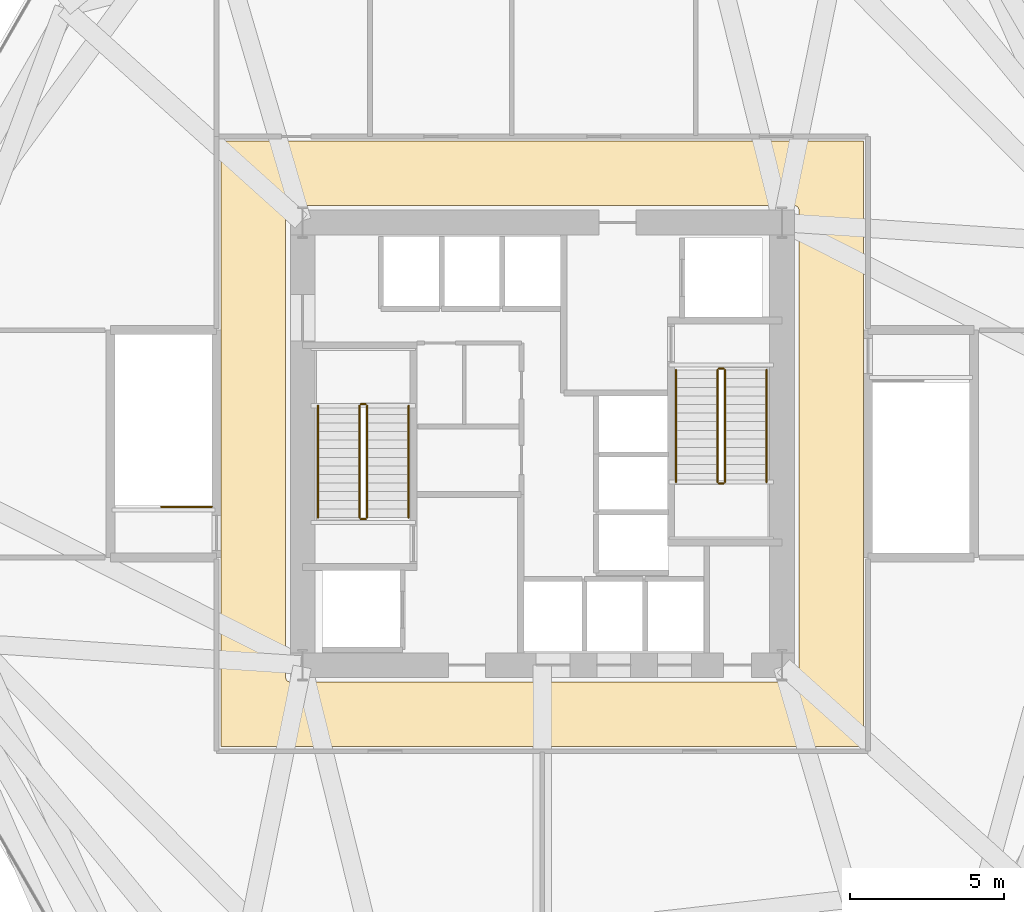
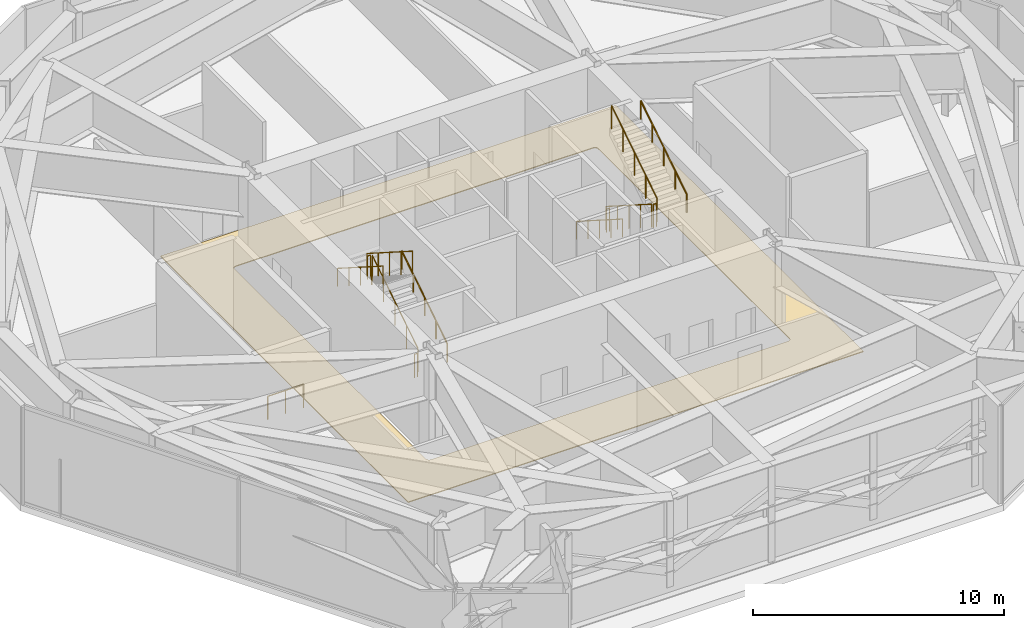
# One storey, part 15 of 16: 13 railings, 1 covering.
"""IFC4 building model written with IfcOpenShell, lengths in metres."""

from ifc_helpers import new_model, si_unit, direction, frame, origin, origin_2d, place, context, subcontext, project, spatial, polyline, circle, outline, extrude, material, layer, layer_set, type_object, element, save


model = new_model("IFC4")

# Units and contexts
model_context = context("Model", 3, precision=1e-05, world=origin(), true_north=direction((0.0, 1.0)))
body_context = subcontext(model_context, "Body", "Model", "MODEL_VIEW")
ifc_project = project(units=[si_unit("LENGTHUNIT", "METRE"), si_unit("AREAUNIT", "SQUARE_METRE"), si_unit("VOLUMEUNIT", "CUBIC_METRE"), si_unit("PLANEANGLEUNIT", "RADIAN"), si_unit("MASSUNIT", "GRAM", prefix="KILO")], contexts=[model_context])

# Site, building, storey
site_placement = place(None, origin())
site = spatial("IfcSite", under=ifc_project, at=site_placement, CompositionType="ELEMENT")
building_placement = place(site_placement, origin())
building = spatial("IfcBuilding", under=site, at=building_placement, Name="Kranzbogen Civic Tower", CompositionType="ELEMENT")
storey_placement = place(building_placement, frame((0.0, 0.0, 19.0)))
storey = spatial("IfcBuildingStorey", under=building, at=storey_placement, Name="L04", CompositionType="ELEMENT", Elevation=19.0)

# Covering
ifc_material_1 = material(Name="Honed Natural Stone Flooring", Category="masonry")
ifc_layer = layer(ifc_material_1, 0.0400390625, Name="Honed Natural Stone Flooring")
ifc_layer_set = layer_set([ifc_layer], Name="Honed Natural Stone Flooring")
covering_type = type_object("IfcCoveringType", Name="Honed Limestone Lobby Flooring 40 mm", PredefinedType="FLOORING", material=ifc_layer_set)
covering_placement = place(storey_placement, origin())
element("IfcCovering", 1, at=covering_placement, inside=storey, type_object=covering_type, Name="L04 honed limestone concourse flooring 1", PredefinedType="FLOORING", context=body_context, shape_type="SweptSolid", body=[
    extrude(outline(polyline([(14.550048828125, 15.14990234375), (14.550048828125, 34.85009765625), (35.449951171875, 34.85009765625), (35.449951171875, 15.14990234375), (14.550048828125, 15.14990234375)]), holes=[polyline([(33.35009765625, 17.39990234375), (33.34912109375, 17.385009765625), (33.346923828125, 17.37109375), (33.343994140625, 17.35595703125), (33.339111328125, 17.343017578125), (33.33203125, 17.3291015625), (33.324951171875, 17.31689453125), (33.31591796875, 17.304931640625), (33.305908203125, 17.2939453125), (33.294921875, 17.283935546875), (33.282958984375, 17.27490234375), (33.27099609375, 17.26806640625), (33.257080078125, 17.260986328125), (33.243896484375, 17.256103515625), (33.22900390625, 17.2529296875), (33.215087890625, 17.2509765625), (33.199951171875, 17.25), (16.800048828125, 17.25), (16.784912109375, 17.2509765625), (16.77099609375, 17.2529296875), (16.756103515625, 17.256103515625), (16.742919921875, 17.260986328125), (16.72900390625, 17.26806640625), (16.717041015625, 17.27490234375), (16.705078125, 17.283935546875), (16.694091796875, 17.2939453125), (16.68408203125, 17.304931640625), (16.675048828125, 17.31689453125), (16.66796875, 17.3291015625), (16.660888671875, 17.343017578125), (16.656005859375, 17.35595703125), (16.653076171875, 17.37109375), (16.65087890625, 17.385009765625), (16.64990234375, 17.39990234375), (16.64990234375, 32.60009765625), (16.65087890625, 32.614990234375), (16.653076171875, 32.62890625), (16.656005859375, 32.64404296875), (16.660888671875, 32.656982421875), (16.66796875, 32.6708984375), (16.675048828125, 32.68310546875), (16.68408203125, 32.695068359375), (16.694091796875, 32.7060546875), (16.705078125, 32.716064453125), (16.717041015625, 32.72509765625), (16.72900390625, 32.73193359375), (16.742919921875, 32.739013671875), (16.756103515625, 32.743896484375), (16.77099609375, 32.7470703125), (16.784912109375, 32.7490234375), (16.800048828125, 32.75), (33.199951171875, 32.75), (33.215087890625, 32.7490234375), (33.22900390625, 32.7470703125), (33.243896484375, 32.743896484375), (33.257080078125, 32.739013671875), (33.27099609375, 32.73193359375), (33.282958984375, 32.72509765625), (33.294921875, 32.716064453125), (33.305908203125, 32.7060546875), (33.31591796875, 32.695068359375), (33.324951171875, 32.68310546875), (33.33203125, 32.6708984375), (33.339111328125, 32.656982421875), (33.343994140625, 32.64404296875), (33.346923828125, 32.62890625), (33.34912109375, 32.614990234375), (33.35009765625, 32.60009765625), (33.35009765625, 17.39990234375)])]), origin(), (0.0, 0.0, 1.0), 0.0400390625),
])

# Railings
ifc_material_2 = material(Name="Steel S355", Category="steel")
railing_type_1 = type_object("IfcRailingType", Name="Internal Stair and Void Steel Guardrail 1150", PredefinedType="GUARDRAIL", material=ifc_material_2)
railing_1_placement = place(storey_placement, frame((19.300048828125, 22.60009765625, 0.178466796875)))
element("IfcRailing", 2, at=railing_1_placement, inside=storey, type_object=railing_type_1, Name="L04 ST-T1 stair guard 1", PredefinedType="GUARDRAIL", context=body_context, shape_type="SweptSolid", body=[
    extrude(circle(Radius=0.02392578125, at=origin_2d()), frame((0.0, 0.0, 1.1259765625), z_axis=(0.0, 0.843111507901, 0.53773877045), x_axis=(-1.0, 0.0, 0.0)), (0.0, 0.0, 1.0), 4.317138671875),
    extrude(circle(Radius=0.02099609375, at=origin_2d()), origin(), (0.0, 0.0, 1.0), 1.101806640625),
    extrude(circle(Radius=0.02099609375, at=origin_2d()), frame((0.0, 0.909912109375, 0.580322265625)), (0.0, 0.0, 1.0), 1.101806640625),
    extrude(circle(Radius=0.02099609375, at=origin_2d()), frame((0.0, 1.81982421875, 1.16064453125)), (0.0, 0.0, 1.0), 1.101806640625),
    extrude(circle(Radius=0.02099609375, at=origin_2d()), frame((0.0, 2.72998046875, 1.7412109375)), (0.0, 0.0, 1.0), 1.101806640625),
    extrude(circle(Radius=0.02099609375, at=origin_2d()), frame((0.0, 3.639892578125, 2.321533203125)), (0.0, 0.0, 1.0), 1.101806640625),
])
railing_2_placement = place(storey_placement, frame((19.25, 26.2900390625, 2.5)))
element("IfcRailing", 3, at=railing_2_placement, inside=storey, type_object=railing_type_1, Name="L04 ST-T1 stair guard 2", PredefinedType="GUARDRAIL", context=body_context, shape_type="SweptSolid", body=[
    extrude(circle(Radius=0.02392578125, at=origin_2d()), frame((0.0, 0.0, 1.1259765625), z_axis=(-1.0, 0.0, 0.0), x_axis=(0.0, -1.0, 0.0)), (0.0, 0.0, 1.0), 0.14990234375),
    extrude(circle(Radius=0.02099609375, at=origin_2d()), origin(), (0.0, 0.0, 1.0), 1.101806640625),
    extrude(circle(Radius=0.02099609375, at=origin_2d()), frame((-0.14990234375, 0.0, 0.0)), (0.0, 0.0, 1.0), 1.101806640625),
])
railing_3_placement = place(storey_placement, frame((19.050048828125, 26.239990234375, 2.678466796875)))
element("IfcRailing", 4, at=railing_3_placement, inside=storey, type_object=railing_type_1, Name="L04 ST-T1 stair guard 3", PredefinedType="GUARDRAIL", context=body_context, shape_type="SweptSolid", body=[
    extrude(circle(Radius=0.02392578125, at=origin_2d()), frame((0.0, 0.0, 1.1259765625), z_axis=(0.0, -0.843111507901, 0.53773877045), x_axis=(1.0, 0.0, 0.0)), (0.0, 0.0, 1.0), 4.317138671875),
    extrude(circle(Radius=0.02099609375, at=origin_2d()), origin(), (0.0, 0.0, 1.0), 1.101806640625),
    extrude(circle(Radius=0.02099609375, at=origin_2d()), frame((0.0, -0.909912109375, 0.580322265625)), (0.0, 0.0, 1.0), 1.101806640625),
    extrude(circle(Radius=0.02099609375, at=origin_2d()), frame((0.0, -1.81982421875, 1.16064453125)), (0.0, 0.0, 1.0), 1.101806640625),
    extrude(circle(Radius=0.02099609375, at=origin_2d()), frame((0.0, -2.72998046875, 1.7412109375)), (0.0, 0.0, 1.0), 1.101806640625),
    extrude(circle(Radius=0.02099609375, at=origin_2d()), frame((0.0, -3.639892578125, 2.321533203125)), (0.0, 0.0, 1.0), 1.101806640625),
])
railing_4_placement = place(storey_placement, frame((19.25, 22.550048828125, 0.0)))
element("IfcRailing", 5, at=railing_4_placement, inside=storey, type_object=railing_type_1, Name="L04 ST-T1 stair guard 4", PredefinedType="GUARDRAIL", context=body_context, shape_type="SweptSolid", body=[
    extrude(circle(Radius=0.02392578125, at=origin_2d()), frame((0.0, 0.0, 1.1259765625), z_axis=(-1.0, 0.0, 0.0), x_axis=(0.0, -1.0, 0.0)), (0.0, 0.0, 1.0), 0.14990234375),
    extrude(circle(Radius=0.02099609375, at=origin_2d()), origin(), (0.0, 0.0, 1.0), 1.101806640625),
    extrude(circle(Radius=0.02099609375, at=origin_2d()), frame((-0.14990234375, 0.0, 0.0)), (0.0, 0.0, 1.0), 1.101806640625),
])
railing_5_placement = place(storey_placement, frame((30.699951171875, 27.39990234375, 0.178466796875)))
element("IfcRailing", 6, at=railing_5_placement, inside=storey, type_object=railing_type_1, Name="L04 ST-T2 stair guard 1", PredefinedType="GUARDRAIL", context=body_context, shape_type="SweptSolid", body=[
    extrude(circle(Radius=0.02392578125, at=origin_2d()), frame((0.0, 0.0, 1.1259765625), z_axis=(0.0, -0.843111507901, 0.53773877045), x_axis=(1.0, 0.0, 0.0)), (0.0, 0.0, 1.0), 4.317138671875),
    extrude(circle(Radius=0.02099609375, at=origin_2d()), origin(), (0.0, 0.0, 1.0), 1.101806640625),
    extrude(circle(Radius=0.02099609375, at=origin_2d()), frame((0.0, -0.909912109375, 0.580322265625)), (0.0, 0.0, 1.0), 1.101806640625),
    extrude(circle(Radius=0.02099609375, at=origin_2d()), frame((0.0, -1.81982421875, 1.16064453125)), (0.0, 0.0, 1.0), 1.101806640625),
    extrude(circle(Radius=0.02099609375, at=origin_2d()), frame((0.0, -2.72998046875, 1.7412109375)), (0.0, 0.0, 1.0), 1.101806640625),
    extrude(circle(Radius=0.02099609375, at=origin_2d()), frame((0.0, -3.639892578125, 2.321533203125)), (0.0, 0.0, 1.0), 1.101806640625),
])
railing_6_placement = place(storey_placement, frame((30.75, 23.7099609375, 2.5)))
element("IfcRailing", 7, at=railing_6_placement, inside=storey, type_object=railing_type_1, Name="L04 ST-T2 stair guard 2", PredefinedType="GUARDRAIL", context=body_context, shape_type="SweptSolid", body=[
    extrude(circle(Radius=0.02392578125, at=origin_2d()), frame((0.0, 0.0, 1.1259765625), z_axis=(1.0, 0.0, 0.0), x_axis=(0.0, 1.0, 0.0)), (0.0, 0.0, 1.0), 0.14990234375),
    extrude(circle(Radius=0.02099609375, at=origin_2d()), origin(), (0.0, 0.0, 1.0), 1.101806640625),
    extrude(circle(Radius=0.02099609375, at=origin_2d()), frame((0.14990234375, 0.0, 0.0)), (0.0, 0.0, 1.0), 1.101806640625),
])
railing_7_placement = place(storey_placement, frame((30.949951171875, 23.760009765625, 2.678466796875)))
element("IfcRailing", 8, at=railing_7_placement, inside=storey, type_object=railing_type_1, Name="L04 ST-T2 stair guard 3", PredefinedType="GUARDRAIL", context=body_context, shape_type="SweptSolid", body=[
    extrude(circle(Radius=0.02392578125, at=origin_2d()), frame((0.0, 0.0, 1.1259765625), z_axis=(0.0, 0.843111507901, 0.53773877045), x_axis=(-1.0, 0.0, 0.0)), (0.0, 0.0, 1.0), 4.317138671875),
    extrude(circle(Radius=0.02099609375, at=origin_2d()), origin(), (0.0, 0.0, 1.0), 1.101806640625),
    extrude(circle(Radius=0.02099609375, at=origin_2d()), frame((0.0, 0.909912109375, 0.580322265625)), (0.0, 0.0, 1.0), 1.101806640625),
    extrude(circle(Radius=0.02099609375, at=origin_2d()), frame((0.0, 1.81982421875, 1.16064453125)), (0.0, 0.0, 1.0), 1.101806640625),
    extrude(circle(Radius=0.02099609375, at=origin_2d()), frame((0.0, 2.72998046875, 1.7412109375)), (0.0, 0.0, 1.0), 1.101806640625),
    extrude(circle(Radius=0.02099609375, at=origin_2d()), frame((0.0, 3.639892578125, 2.321533203125)), (0.0, 0.0, 1.0), 1.101806640625),
])
railing_8_placement = place(storey_placement, frame((30.75, 27.449951171875, 0.0)))
element("IfcRailing", 9, at=railing_8_placement, inside=storey, type_object=railing_type_1, Name="L04 ST-T2 stair guard 4", PredefinedType="GUARDRAIL", context=body_context, shape_type="SweptSolid", body=[
    extrude(circle(Radius=0.02392578125, at=origin_2d()), frame((0.0, 0.0, 1.1259765625), z_axis=(1.0, 0.0, 0.0), x_axis=(0.0, 1.0, 0.0)), (0.0, 0.0, 1.0), 0.14990234375),
    extrude(circle(Radius=0.02099609375, at=origin_2d()), origin(), (0.0, 0.0, 1.0), 1.101806640625),
    extrude(circle(Radius=0.02099609375, at=origin_2d()), frame((0.14990234375, 0.0, 0.0)), (0.0, 0.0, 1.0), 1.101806640625),
])
railing_9_placement = place(storey_placement, frame((14.25, 22.949951171875, 0.0)))
element("IfcRailing", 10, at=railing_9_placement, inside=storey, type_object=railing_type_1, Name="L04 ST-P1 top well guard 1", PredefinedType="GUARDRAIL", context=body_context, shape_type="SweptSolid", body=[
    extrude(circle(Radius=0.02392578125, at=origin_2d()), frame((0.0, 0.0, 1.1259765625), z_axis=(-1.0, 0.0, 0.0), x_axis=(0.0, -1.0, 0.0)), (0.0, 0.0, 1.0), 1.64990234375),
    extrude(circle(Radius=0.02099609375, at=origin_2d()), origin(), (0.0, 0.0, 1.0), 1.101806640625),
    extrude(circle(Radius=0.02099609375, at=origin_2d()), frame((-0.824951171875, 0.0, 0.0)), (0.0, 0.0, 1.0), 1.101806640625),
    extrude(circle(Radius=0.02099609375, at=origin_2d()), frame((-1.64990234375, 0.0, 0.0)), (0.0, 0.0, 1.0), 1.101806640625),
])
ifc_material_3 = material(Name="Pale Anodised Aluminium", Category="aluminium")
railing_type_2 = type_object("IfcRailingType", Name="Tubular Stainless Stair Wall Handrail 900", PredefinedType="HANDRAIL", material=ifc_material_3)
railing_10_placement = place(storey_placement, frame((20.64990234375, 22.60009765625, 0.178466796875)))
element("IfcRailing", 11, at=railing_10_placement, inside=storey, type_object=railing_type_2, Name="L04 ST-T1 stair handrail 1", PredefinedType="HANDRAIL", context=body_context, shape_type="SweptSolid", body=[
    extrude(circle(Radius=0.02392578125, at=origin_2d()), frame((0.0, 0.0, 0.8759765625), z_axis=(0.0, 0.843111507901, 0.53773877045), x_axis=(-1.0, 0.0, 0.0)), (0.0, 0.0, 1.0), 4.317138671875),
    extrude(circle(Radius=0.02099609375, at=origin_2d()), origin(), (0.0, 0.0, 1.0), 0.851806640625),
    extrude(circle(Radius=0.02099609375, at=origin_2d()), frame((0.0, 0.909912109375, 0.580322265625)), (0.0, 0.0, 1.0), 0.851806640625),
    extrude(circle(Radius=0.02099609375, at=origin_2d()), frame((0.0, 1.81982421875, 1.16064453125)), (0.0, 0.0, 1.0), 0.851806640625),
    extrude(circle(Radius=0.02099609375, at=origin_2d()), frame((0.0, 2.72998046875, 1.7412109375)), (0.0, 0.0, 1.0), 0.851806640625),
    extrude(circle(Radius=0.02099609375, at=origin_2d()), frame((0.0, 3.639892578125, 2.321533203125)), (0.0, 0.0, 1.0), 0.851806640625),
])
for number, where, name in (
    (12, (17.699951171875, 26.239990234375, 2.678466796875), "L04 ST-T1 stair handrail 2"),
    (13, (29.35009765625, 27.39990234375, 0.178466796875), "L04 ST-T2 stair handrail 1"),
):
    element("IfcRailing", number, at=place(storey_placement, frame(where)), inside=storey, type_object=railing_type_2, Name=name, PredefinedType="HANDRAIL", context=body_context, shape_type="SweptSolid", body=[
        extrude(circle(Radius=0.02392578125, at=origin_2d()), frame((0.0, 0.0, 0.8759765625), z_axis=(0.0, -0.843111507901, 0.53773877045), x_axis=(1.0, 0.0, 0.0)), (0.0, 0.0, 1.0), 4.317138671875),
        extrude(circle(Radius=0.02099609375, at=origin_2d()), origin(), (0.0, 0.0, 1.0), 0.851806640625),
        extrude(circle(Radius=0.02099609375, at=origin_2d()), frame((0.0, -0.909912109375, 0.580322265625)), (0.0, 0.0, 1.0), 0.851806640625),
        extrude(circle(Radius=0.02099609375, at=origin_2d()), frame((0.0, -1.81982421875, 1.16064453125)), (0.0, 0.0, 1.0), 0.851806640625),
        extrude(circle(Radius=0.02099609375, at=origin_2d()), frame((0.0, -2.72998046875, 1.7412109375)), (0.0, 0.0, 1.0), 0.851806640625),
        extrude(circle(Radius=0.02099609375, at=origin_2d()), frame((0.0, -3.639892578125, 2.321533203125)), (0.0, 0.0, 1.0), 0.851806640625),
    ])
railing_11_placement = place(storey_placement, frame((32.300048828125, 23.760009765625, 2.678466796875)))
element("IfcRailing", 14, at=railing_11_placement, inside=storey, type_object=railing_type_2, Name="L04 ST-T2 stair handrail 2", PredefinedType="HANDRAIL", context=body_context, shape_type="SweptSolid", body=[
    extrude(circle(Radius=0.02392578125, at=origin_2d()), frame((0.0, 0.0, 0.8759765625), z_axis=(0.0, 0.843111507901, 0.53773877045), x_axis=(-1.0, 0.0, 0.0)), (0.0, 0.0, 1.0), 4.317138671875),
    extrude(circle(Radius=0.02099609375, at=origin_2d()), origin(), (0.0, 0.0, 1.0), 0.851806640625),
    extrude(circle(Radius=0.02099609375, at=origin_2d()), frame((0.0, 0.909912109375, 0.580322265625)), (0.0, 0.0, 1.0), 0.851806640625),
    extrude(circle(Radius=0.02099609375, at=origin_2d()), frame((0.0, 1.81982421875, 1.16064453125)), (0.0, 0.0, 1.0), 0.851806640625),
    extrude(circle(Radius=0.02099609375, at=origin_2d()), frame((0.0, 2.72998046875, 1.7412109375)), (0.0, 0.0, 1.0), 0.851806640625),
    extrude(circle(Radius=0.02099609375, at=origin_2d()), frame((0.0, 3.639892578125, 2.321533203125)), (0.0, 0.0, 1.0), 0.851806640625),
])

save(model, "model.ifc")
